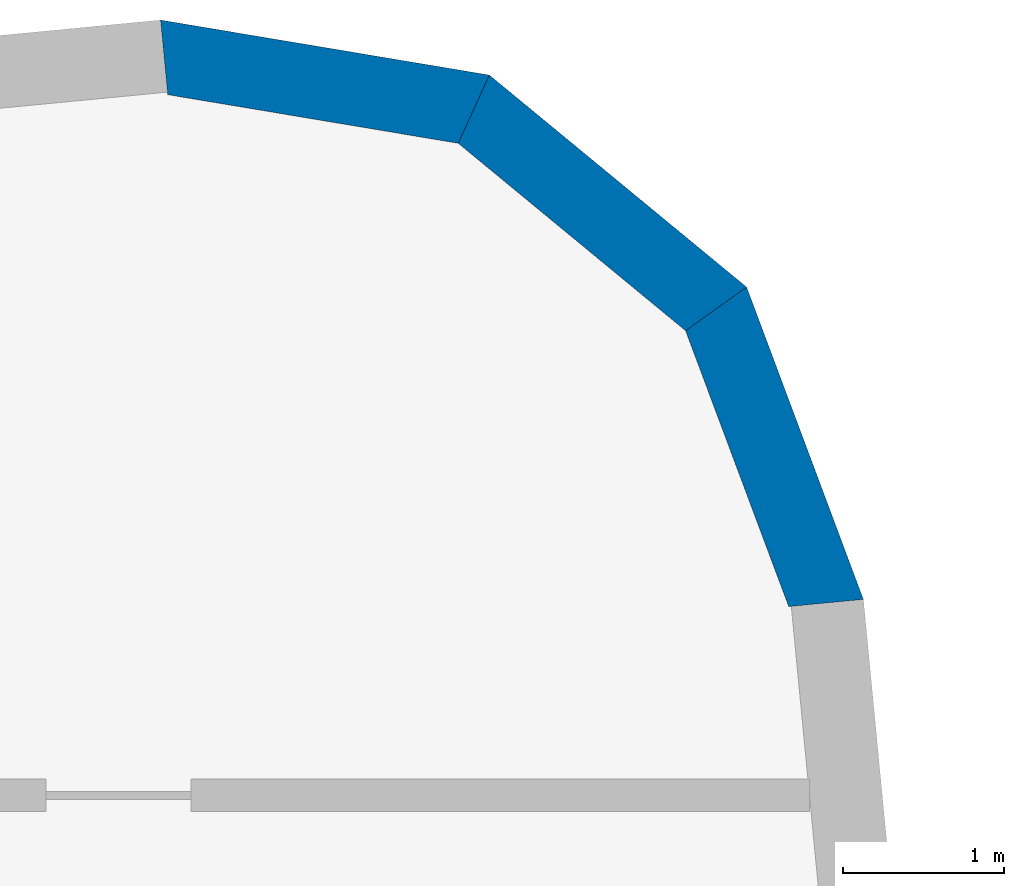
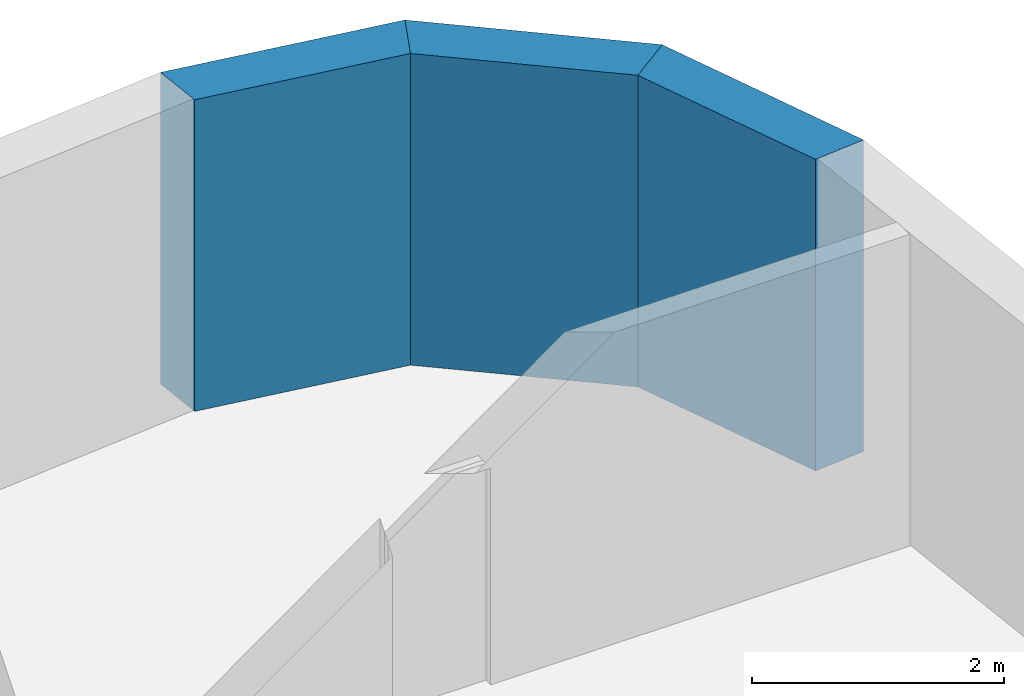
# One storey, part 8 of 12: 3 walls.
"""IFC4 building model written with IfcOpenShell, lengths in metres."""

from ifc_helpers import new_model, si_unit, direction, frame, origin, place, context, subcontext, project, spatial, polyline, outline, extrude, material, layer, layer_set, type_object, element, save


model = new_model("IFC4")

# Units and contexts
model_context = context("Model", 3, precision=1e-05, world=origin(), true_north=direction((0.0, 1.0)))
body_context = subcontext(model_context, "Body", "Model", "MODEL_VIEW")
ifc_project = project(units=[si_unit("LENGTHUNIT", "METRE"), si_unit("AREAUNIT", "SQUARE_METRE"), si_unit("VOLUMEUNIT", "CUBIC_METRE"), si_unit("PLANEANGLEUNIT", "RADIAN"), si_unit("MASSUNIT", "GRAM", prefix="KILO")], contexts=[model_context])

# Site, building, storey
site_placement = place(None, origin())
site = spatial("IfcSite", under=ifc_project, at=site_placement, CompositionType="ELEMENT")
building_placement = place(site_placement, origin())
building = spatial("IfcBuilding", under=site, at=building_placement, Name="Kajstack Hotel Tower", CompositionType="ELEMENT")
storey_placement = place(building_placement, frame((0.0, 0.0, 301.5)))
storey = spatial("IfcBuildingStorey", under=building, at=storey_placement, Name="L76", CompositionType="ELEMENT", Elevation=301.5)

# Walls
ifc_material = material(Name="Terracotta-faced brick masonry", Category="masonry")
ifc_layer = layer(ifc_material, 0.449951171875)
ifc_layer_set = layer_set([ifc_layer], Name="EW-TERRA")
wall_type = type_object("IfcWallType", Name="EW-TERRA", PredefinedType="SOLIDWALL", material=ifc_layer_set)
wall_1_placement = place(storey_placement, frame((35.078369140625, 18.9375, 0.0), z_axis=(0.0, 0.0, 1.0), x_axis=(-0.350192909346, 0.936677599948, 0.0)))
element("IfcWall", 1, at=wall_1_placement, inside=storey, type_object=wall_type, Name="E-wall-L76-09-00", PredefinedType="SOLIDWALL", context=body_context, shape_type="SweptSolid", body=[
    extrude(outline(polyline([(0.0, -0.22509765625), (2.070556640625, -0.22509765625), (1.949951171875, 0.224853515625), (0.12060546875, 0.224853515625), (0.0, -0.22509765625)])), origin(), (0.0, 0.0, 1.0), 3.02001953125),
])
wall_2_placement = place(storey_placement, frame((34.4208984375, 20.7822265625, 0.0), z_axis=(0.0, 0.0, 1.0), x_axis=(-0.771593176315, 0.636116318187, 0.0)))
element("IfcWall", 2, at=wall_2_placement, inside=storey, type_object=wall_type, Name="E-wall-L76-10-00", PredefinedType="SOLIDWALL", context=body_context, shape_type="SweptSolid", body=[
    extrude(outline(polyline([(0.0, -0.22509765625), (2.070556640625, -0.224853515625), (1.949951171875, 0.22509765625), (0.120361328125, 0.22509765625), (0.0, -0.22509765625)])), origin(), (0.0, 0.0, 1.0), 3.02001953125),
])
wall_3_placement = place(storey_placement, frame((32.92919921875, 22.051025390625, 0.0), z_axis=(0.0, 0.0, 1.0), x_axis=(-0.986298144721, 0.164972633245, 0.0)))
element("IfcWall", 3, at=wall_3_placement, inside=storey, type_object=wall_type, Name="E-wall-L76-11-00", PredefinedType="SOLIDWALL", context=body_context, shape_type="SweptSolid", body=[
    extrude(outline(polyline([(0.0, -0.224853515625), (2.0703125, -0.22509765625), (1.949951171875, 0.224853515625), (0.12060546875, 0.22509765625), (0.0, -0.224853515625)])), origin(), (0.0, 0.0, 1.0), 3.02001953125),
])

save(model, "model.ifc")
